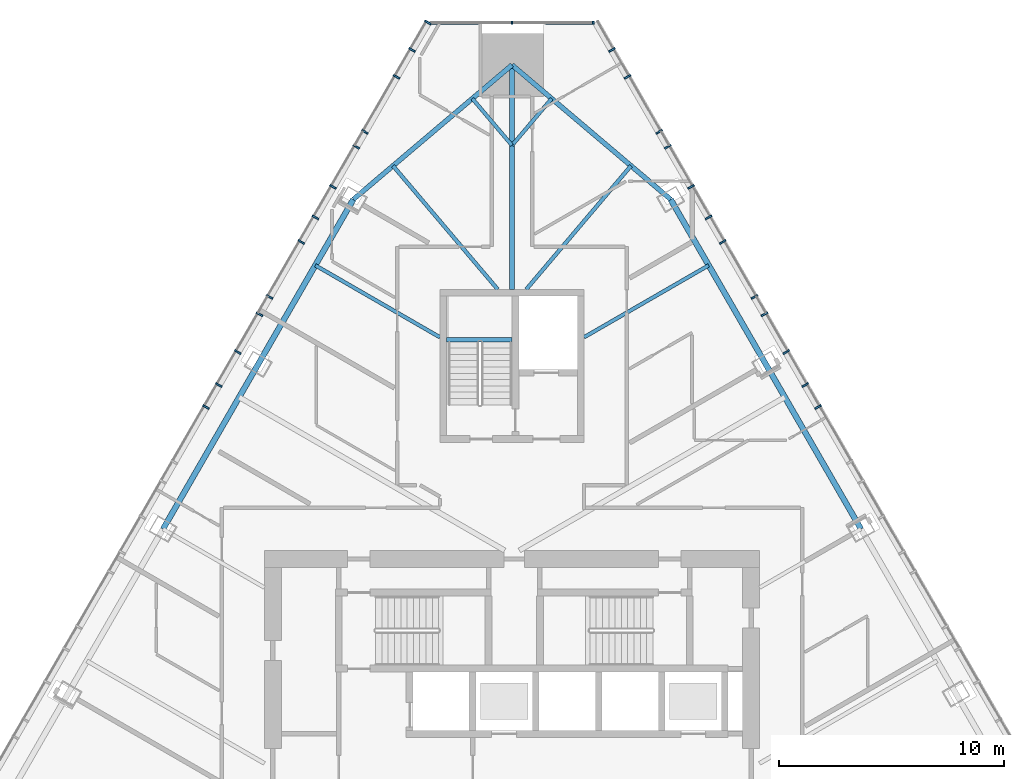
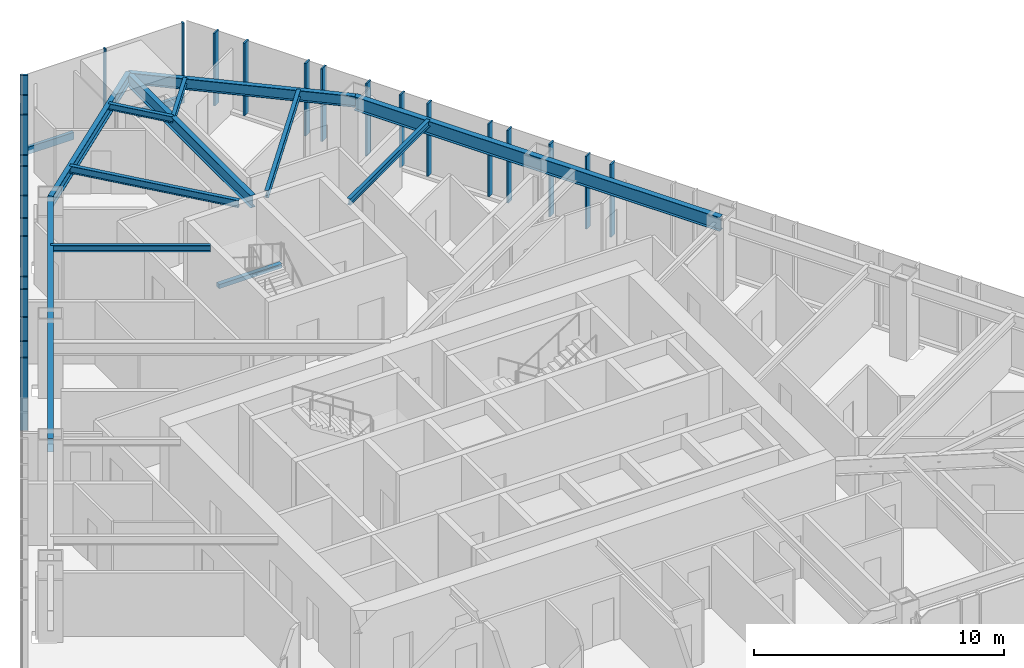
# One storey, part 7 of 19: 29 members, 12 beams, 3 elements without a shape of their own.
"""IFC4 building model written with IfcOpenShell, lengths in metres."""

from ifc_helpers import new_model, si_unit, direction, frame, origin, origin_2d, place, context, subcontext, project, spatial, rectangle, i_section, extrude, material, layer, layer_set, material_profile, profile_set, type_object, element, aggregate, save


model = new_model("IFC4")

# Units and contexts
model_context = context("Model", 3, precision=1e-05, world=origin(), true_north=direction((0.0, 1.0)))
body_context = subcontext(model_context, "Body", "Model", "MODEL_VIEW")
ifc_project = project(units=[si_unit("LENGTHUNIT", "METRE"), si_unit("AREAUNIT", "SQUARE_METRE"), si_unit("VOLUMEUNIT", "CUBIC_METRE"), si_unit("PLANEANGLEUNIT", "RADIAN"), si_unit("MASSUNIT", "GRAM", prefix="KILO")], contexts=[model_context])

# Site, building, storey
site_placement = place(None, origin())
site = spatial("IfcSite", under=ifc_project, at=site_placement, CompositionType="ELEMENT")
building_placement = place(site_placement, origin())
building = spatial("IfcBuilding", under=site, at=building_placement, Name="Firuza Gate Tower and Library", CompositionType="ELEMENT")
storey_placement = place(building_placement, frame((0.0, 0.0, 210.39990234375)))
storey = spatial("IfcBuildingStorey", under=building, at=storey_placement, Name="L49", CompositionType="ELEMENT", Elevation=210.39990234375)

# Curtain wall, members
ifc_material_1 = material(Name="Aluminium 6063-T6", Category="aluminium")
ifc_layer_1 = layer(ifc_material_1, 0.14990234375)
ifc_layer_set_1 = layer_set([ifc_layer_1], Name="Corner curtain wall, chamfers")
curtain_wall_type_1 = type_object("IfcCurtainWallType", Name="Corner curtain wall, chamfers", PredefinedType="NOTDEFINED", material=ifc_layer_set_1)
placement = place(storey_placement, origin())
curtain_wall_1 = element("IfcCurtainWall", 1, at=placement, inside=storey, type_object=curtain_wall_type_1, Name="CW4 L49 N corner", PredefinedType="NOTDEFINED")
ifc_material_2 = material(Name="Aluminium 6063-T6", Category="aluminium")
ifc_material_profile_1 = material_profile(ifc_material_2, rectangle(XDim=0.14990234375, YDim=0.080078125, at=origin_2d()))
ifc_profile_set_1 = profile_set([ifc_material_profile_1], Name="Aluminium 6063-T6")
member_type_1 = type_object("IfcMemberType", Name="Curtain wall mullion 80x150", PredefinedType="MULLION", material=ifc_profile_set_1)
member_1_placement = place(storey_placement, frame((78.603271484375, 106.44482421875, 0.150146484375), z_axis=(0.0, 0.0, 1.0), x_axis=(0.0, -1.0, 0.0)))
member_1 = element("IfcMember", 2, at=member_1_placement, type_object=member_type_1, Name="Mullion", PredefinedType="MULLION", context=body_context, shape_type="SweptSolid", body=[
    extrude(rectangle(XDim=0.14990234375, YDim=0.080078125, at=origin_2d()), origin(), (0.0, 0.0, 1.0), 3.550048828125),
])
member_2_placement = place(storey_placement, frame((75.0, 106.44482421875, 0.150146484375), z_axis=(0.0, 0.0, 1.0), x_axis=(0.0, -1.0, 0.0)))
member_2 = element("IfcMember", 3, at=member_2_placement, type_object=member_type_1, Name="Mullion", PredefinedType="MULLION", context=body_context, shape_type="SweptSolid", body=[
    extrude(rectangle(XDim=0.14990234375, YDim=0.080078125, at=origin_2d()), origin(), (0.0, 0.0, 1.0), 3.550048828125),
])

ifc_material_3 = material(Name="Aluminium 6063-T6", Category="aluminium")
ifc_layer_2 = layer(ifc_material_3, 0.14990234375)
ifc_layer_set_2 = layer_set([ifc_layer_2], Name="Unitised curtain wall, hotel")
curtain_wall_type_2 = type_object("IfcCurtainWallType", Name="Unitised curtain wall, hotel", PredefinedType="NOTDEFINED", material=ifc_layer_set_2)
curtain_wall_2 = element("IfcCurtainWall", 4, at=placement, inside=storey, type_object=curtain_wall_type_2, Name="CW2 L49 E face", PredefinedType="NOTDEFINED")
ifc_material_4 = material(Name="Aluminium 6063-T6", Category="aluminium")
ifc_material_profile_2 = material_profile(ifc_material_4, rectangle(XDim=0.320068359375, YDim=0.080078125, at=origin_2d()))
ifc_profile_set_2 = profile_set([ifc_material_profile_2], Name="Aluminium 6063-T6")
member_type_2 = type_object("IfcMemberType", Name="Curtain wall mullion 80x320", PredefinedType="MULLION", material=ifc_profile_set_2)
member_3_placement = place(storey_placement, frame((88.5986328125, 89.37158203125, 0.150146484375), z_axis=(0.0, 0.0, 1.0), x_axis=(-0.866025403784, -0.5, 0.0)))
member_3 = element("IfcMember", 5, at=member_3_placement, type_object=member_type_2, Name="Mullion", PredefinedType="MULLION", context=body_context, shape_type="SweptSolid", body=[
    extrude(rectangle(XDim=0.320068359375, YDim=0.080078125, at=origin_2d()), origin(), (0.0, 0.0, 1.0), 3.550048828125),
])
member_4_placement = place(storey_placement, frame((87.18701171875, 91.816650390625, 0.150146484375), z_axis=(0.0, 0.0, 1.0), x_axis=(-0.866025403784, -0.5, 0.0)))
member_4 = element("IfcMember", 6, at=member_4_placement, type_object=member_type_2, Name="Mullion", PredefinedType="MULLION", context=body_context, shape_type="SweptSolid", body=[
    extrude(rectangle(XDim=0.320068359375, YDim=0.080078125, at=origin_2d()), origin(), (0.0, 0.0, 1.0), 3.550048828125),
])
member_5_placement = place(storey_placement, frame((85.775390625, 94.26171875, 0.150146484375), z_axis=(0.0, 0.0, 1.0), x_axis=(-0.866025403784, -0.5, 0.0)))
member_5 = element("IfcMember", 7, at=member_5_placement, type_object=member_type_2, Name="Mullion", PredefinedType="MULLION", context=body_context, shape_type="SweptSolid", body=[
    extrude(rectangle(XDim=0.320068359375, YDim=0.080078125, at=origin_2d()), origin(), (0.0, 0.0, 1.0), 3.550048828125),
])
member_6_placement = place(storey_placement, frame((84.363525390625, 96.706787109375, 0.150146484375), z_axis=(0.0, 0.0, 1.0), x_axis=(-0.866025403784, -0.5, 0.0)))
member_6 = element("IfcMember", 8, at=member_6_placement, type_object=member_type_2, Name="Mullion", PredefinedType="MULLION", context=body_context, shape_type="SweptSolid", body=[
    extrude(rectangle(XDim=0.320068359375, YDim=0.080078125, at=origin_2d()), origin(), (0.0, 0.0, 1.0), 3.550048828125),
])
member_7_placement = place(storey_placement, frame((82.951904296875, 99.15185546875, 0.150146484375), z_axis=(0.0, 0.0, 1.0), x_axis=(-0.866025403784, -0.5, 0.0)))
member_7 = element("IfcMember", 9, at=member_7_placement, type_object=member_type_2, Name="Mullion", PredefinedType="MULLION", context=body_context, shape_type="SweptSolid", body=[
    extrude(rectangle(XDim=0.320068359375, YDim=0.080078125, at=origin_2d()), origin(), (0.0, 0.0, 1.0), 3.550048828125),
])
member_8_placement = place(storey_placement, frame((81.540283203125, 101.596923828125, 0.150146484375), z_axis=(0.0, 0.0, 1.0), x_axis=(-0.866025403784, -0.5, 0.0)))
member_8 = element("IfcMember", 10, at=member_8_placement, type_object=member_type_2, Name="Mullion", PredefinedType="MULLION", context=body_context, shape_type="SweptSolid", body=[
    extrude(rectangle(XDim=0.320068359375, YDim=0.080078125, at=origin_2d()), origin(), (0.0, 0.0, 1.0), 3.550048828125),
])
member_9_placement = place(storey_placement, frame((80.128662109375, 104.042236328125, 0.150146484375), z_axis=(0.0, 0.0, 1.0), x_axis=(-0.866025403784, -0.5, 0.0)))
member_9 = element("IfcMember", 11, at=member_9_placement, type_object=member_type_2, Name="Mullion", PredefinedType="MULLION", context=body_context, shape_type="SweptSolid", body=[
    extrude(rectangle(XDim=0.320068359375, YDim=0.080078125, at=origin_2d()), origin(), (0.0, 0.0, 1.0), 3.550048828125),
])
member_10_placement = place(storey_placement, frame((88.0322265625, 90.352783203125, 0.150146484375), z_axis=(0.0, 0.0, 1.0), x_axis=(-0.866025403784, -0.5, 0.0)))
member_10 = element("IfcMember", 12, at=member_10_placement, type_object=member_type_2, Name="Mullion", PredefinedType="MULLION", context=body_context, shape_type="SweptSolid", body=[
    extrude(rectangle(XDim=0.320068359375, YDim=0.080078125, at=origin_2d()), origin(), (0.0, 0.0, 1.0), 3.550048828125),
])
member_11_placement = place(storey_placement, frame((86.21826171875, 93.49462890625, 0.150146484375), z_axis=(0.0, 0.0, 1.0), x_axis=(-0.866025403784, -0.5, 0.0)))
member_11 = element("IfcMember", 13, at=member_11_placement, type_object=member_type_2, Name="Mullion", PredefinedType="MULLION", context=body_context, shape_type="SweptSolid", body=[
    extrude(rectangle(XDim=0.320068359375, YDim=0.080078125, at=origin_2d()), origin(), (0.0, 0.0, 1.0), 3.550048828125),
])
member_12_placement = place(storey_placement, frame((83.7353515625, 97.795166015625, 0.150146484375), z_axis=(0.0, 0.0, 1.0), x_axis=(-0.866025403784, -0.5, 0.0)))
member_12 = element("IfcMember", 14, at=member_12_placement, type_object=member_type_2, Name="Mullion", PredefinedType="MULLION", context=body_context, shape_type="SweptSolid", body=[
    extrude(rectangle(XDim=0.320068359375, YDim=0.080078125, at=origin_2d()), origin(), (0.0, 0.0, 1.0), 3.550048828125),
])
member_13_placement = place(storey_placement, frame((81.92138671875, 100.93701171875, 0.150146484375), z_axis=(0.0, 0.0, 1.0), x_axis=(-0.866025403784, -0.5, 0.0)))
member_13 = element("IfcMember", 15, at=member_13_placement, type_object=member_type_2, Name="Mullion", PredefinedType="MULLION", context=body_context, shape_type="SweptSolid", body=[
    extrude(rectangle(XDim=0.320068359375, YDim=0.080078125, at=origin_2d()), origin(), (0.0, 0.0, 1.0), 3.550048828125),
])
member_14_placement = place(storey_placement, frame((79.4384765625, 105.237548828125, 0.150146484375), z_axis=(0.0, 0.0, 1.0), x_axis=(-0.866025403784, -0.5, 0.0)))
member_14 = element("IfcMember", 16, at=member_14_placement, type_object=member_type_2, Name="Mullion", PredefinedType="MULLION", context=body_context, shape_type="SweptSolid", body=[
    extrude(rectangle(XDim=0.320068359375, YDim=0.080078125, at=origin_2d()), origin(), (0.0, 0.0, 1.0), 3.550048828125),
])
aggregate(curtain_wall_2, [member_3, member_4, member_5, member_6, member_7, member_8, member_9, member_10, member_11, member_12, member_13, member_14])

curtain_wall_3 = element("IfcCurtainWall", 17, at=placement, inside=storey, type_object=curtain_wall_type_2, Name="CW2 L49 W face", PredefinedType="NOTDEFINED")
member_15_placement = place(storey_placement, frame((71.26318359375, 106.45263671875, 0.150146484375), z_axis=(0.0, 0.0, 1.0), x_axis=(0.866025403784, -0.5, 0.0)))
member_15 = element("IfcMember", 18, at=member_15_placement, type_object=member_type_2, Name="Mullion", PredefinedType="MULLION", context=body_context, shape_type="SweptSolid", body=[
    extrude(rectangle(XDim=0.320068359375, YDim=0.080078125, at=origin_2d()), origin(), (0.0, 0.0, 1.0), 3.550048828125),
])
member_16_placement = place(storey_placement, frame((69.871337890625, 104.042236328125, 0.150146484375), z_axis=(0.0, 0.0, 1.0), x_axis=(0.866025403784, -0.5, 0.0)))
member_16 = element("IfcMember", 19, at=member_16_placement, type_object=member_type_2, Name="Mullion", PredefinedType="MULLION", context=body_context, shape_type="SweptSolid", body=[
    extrude(rectangle(XDim=0.320068359375, YDim=0.080078125, at=origin_2d()), origin(), (0.0, 0.0, 1.0), 3.550048828125),
])
member_17_placement = place(storey_placement, frame((68.459716796875, 101.596923828125, 0.150146484375), z_axis=(0.0, 0.0, 1.0), x_axis=(0.866025403784, -0.5, 0.0)))
member_17 = element("IfcMember", 20, at=member_17_placement, type_object=member_type_2, Name="Mullion", PredefinedType="MULLION", context=body_context, shape_type="SweptSolid", body=[
    extrude(rectangle(XDim=0.320068359375, YDim=0.080078125, at=origin_2d()), origin(), (0.0, 0.0, 1.0), 3.550048828125),
])
member_18_placement = place(storey_placement, frame((67.048095703125, 99.15185546875, 0.150146484375), z_axis=(0.0, 0.0, 1.0), x_axis=(0.866025403784, -0.5, 0.0)))
member_18 = element("IfcMember", 21, at=member_18_placement, type_object=member_type_2, Name="Mullion", PredefinedType="MULLION", context=body_context, shape_type="SweptSolid", body=[
    extrude(rectangle(XDim=0.320068359375, YDim=0.080078125, at=origin_2d()), origin(), (0.0, 0.0, 1.0), 3.550048828125),
])
member_19_placement = place(storey_placement, frame((65.636474609375, 96.706787109375, 0.150146484375), z_axis=(0.0, 0.0, 1.0), x_axis=(0.866025403784, -0.5, 0.0)))
member_19 = element("IfcMember", 22, at=member_19_placement, type_object=member_type_2, Name="Mullion", PredefinedType="MULLION", context=body_context, shape_type="SweptSolid", body=[
    extrude(rectangle(XDim=0.320068359375, YDim=0.080078125, at=origin_2d()), origin(), (0.0, 0.0, 1.0), 3.550048828125),
])
member_20_placement = place(storey_placement, frame((64.224609375, 94.26171875, 0.150146484375), z_axis=(0.0, 0.0, 1.0), x_axis=(0.866025403784, -0.5, 0.0)))
member_20 = element("IfcMember", 23, at=member_20_placement, type_object=member_type_2, Name="Mullion", PredefinedType="MULLION", context=body_context, shape_type="SweptSolid", body=[
    extrude(rectangle(XDim=0.320068359375, YDim=0.080078125, at=origin_2d()), origin(), (0.0, 0.0, 1.0), 3.550048828125),
])
member_21_placement = place(storey_placement, frame((62.81298828125, 91.816650390625, 0.150146484375), z_axis=(0.0, 0.0, 1.0), x_axis=(0.866025403784, -0.5, 0.0)))
member_21 = element("IfcMember", 24, at=member_21_placement, type_object=member_type_2, Name="Mullion", PredefinedType="MULLION", context=body_context, shape_type="SweptSolid", body=[
    extrude(rectangle(XDim=0.320068359375, YDim=0.080078125, at=origin_2d()), origin(), (0.0, 0.0, 1.0), 3.550048828125),
])
member_22_placement = place(storey_placement, frame((61.4013671875, 89.37158203125, 0.150146484375), z_axis=(0.0, 0.0, 1.0), x_axis=(0.866025403784, -0.5, 0.0)))
member_22 = element("IfcMember", 25, at=member_22_placement, type_object=member_type_2, Name="Mullion", PredefinedType="MULLION", context=body_context, shape_type="SweptSolid", body=[
    extrude(rectangle(XDim=0.320068359375, YDim=0.080078125, at=origin_2d()), origin(), (0.0, 0.0, 1.0), 3.550048828125),
])
member_23_placement = place(storey_placement, frame((70.5615234375, 105.237548828125, 0.150146484375), z_axis=(0.0, 0.0, 1.0), x_axis=(0.866025403784, -0.5, 0.0)))
member_23 = element("IfcMember", 26, at=member_23_placement, type_object=member_type_2, Name="Mullion", PredefinedType="MULLION", context=body_context, shape_type="SweptSolid", body=[
    extrude(rectangle(XDim=0.320068359375, YDim=0.080078125, at=origin_2d()), origin(), (0.0, 0.0, 1.0), 3.550048828125),
])
member_24_placement = place(storey_placement, frame((68.07861328125, 100.93701171875, 0.150146484375), z_axis=(0.0, 0.0, 1.0), x_axis=(0.866025403784, -0.5, 0.0)))
member_24 = element("IfcMember", 27, at=member_24_placement, type_object=member_type_2, Name="Mullion", PredefinedType="MULLION", context=body_context, shape_type="SweptSolid", body=[
    extrude(rectangle(XDim=0.320068359375, YDim=0.080078125, at=origin_2d()), origin(), (0.0, 0.0, 1.0), 3.550048828125),
])
member_25_placement = place(storey_placement, frame((66.2646484375, 97.795166015625, 0.150146484375), z_axis=(0.0, 0.0, 1.0), x_axis=(0.866025403784, -0.5, 0.0)))
member_25 = element("IfcMember", 28, at=member_25_placement, type_object=member_type_2, Name="Mullion", PredefinedType="MULLION", context=body_context, shape_type="SweptSolid", body=[
    extrude(rectangle(XDim=0.320068359375, YDim=0.080078125, at=origin_2d()), origin(), (0.0, 0.0, 1.0), 3.550048828125),
])
member_26_placement = place(storey_placement, frame((63.78173828125, 93.49462890625, 0.150146484375), z_axis=(0.0, 0.0, 1.0), x_axis=(0.866025403784, -0.5, 0.0)))
member_26 = element("IfcMember", 29, at=member_26_placement, type_object=member_type_2, Name="Mullion", PredefinedType="MULLION", context=body_context, shape_type="SweptSolid", body=[
    extrude(rectangle(XDim=0.320068359375, YDim=0.080078125, at=origin_2d()), origin(), (0.0, 0.0, 1.0), 3.550048828125),
])
member_27_placement = place(storey_placement, frame((61.9677734375, 90.352783203125, 0.150146484375), z_axis=(0.0, 0.0, 1.0), x_axis=(0.866025403784, -0.5, 0.0)))
member_27 = element("IfcMember", 30, at=member_27_placement, type_object=member_type_2, Name="Mullion", PredefinedType="MULLION", context=body_context, shape_type="SweptSolid", body=[
    extrude(rectangle(XDim=0.320068359375, YDim=0.080078125, at=origin_2d()), origin(), (0.0, 0.0, 1.0), 3.550048828125),
])
aggregate(curtain_wall_3, [member_15, member_16, member_17, member_18, member_19, member_20, member_21, member_22, member_23, member_24, member_25, member_26, member_27])

# Member
ifc_material_5 = material(Name="Aluminium 6063-T6", Category="aluminium")
ifc_material_profile_3 = material_profile(ifc_material_5, rectangle(XDim=0.14990234375, YDim=0.35009765625, at=origin_2d()))
ifc_profile_set_3 = profile_set([ifc_material_profile_3], Name="Aluminium 6063-T6")
member_type_3 = type_object("IfcMemberType", Name="Curtain wall transom 350x150", PredefinedType="USERDEFINED", material=ifc_profile_set_3)
member_28_placement = place(storey_placement, frame((78.643310546875, 106.44482421875, -0.02490234375), z_axis=(-1.0, 0.0, 0.0), x_axis=(0.0, -1.0, 0.0)))
member_28 = element("IfcMember", 31, at=member_28_placement, type_object=member_type_3, Name="Transom", ObjectType="TRANSOM", PredefinedType="USERDEFINED", context=body_context, shape_type="SweptSolid", body=[
    extrude(rectangle(XDim=0.14990234375, YDim=0.35009765625, at=origin_2d()), origin(), (0.0, 0.0, 1.0), 2.163330078125),
])

member_29_placement = place(storey_placement, frame((73.52001953125, 106.44482421875, -0.02490234375), z_axis=(-1.0, 0.0, 0.0), x_axis=(0.0, -1.0, 0.0)))
member_29 = element("IfcMember", 32, at=member_29_placement, type_object=member_type_3, Name="Transom", ObjectType="TRANSOM", PredefinedType="USERDEFINED", context=body_context, shape_type="SweptSolid", body=[
    extrude(rectangle(XDim=0.14990234375, YDim=0.35009765625, at=origin_2d()), origin(), (0.0, 0.0, 1.0), 2.163330078125),
])

aggregate(curtain_wall_1, [member_1, member_2, member_28, member_29])

# Beams
ifc_material_6 = material(Name="Concrete C35/45", Category="concrete")
ifc_material_profile_4 = material_profile(ifc_material_6, rectangle(XDim=0.199951171875, YDim=0.199951171875, at=origin_2d()))
ifc_profile_set_4 = profile_set([ifc_material_profile_4], Name="Concrete C35/45")
beam_type_1 = type_object("IfcBeamType", Name="Stair landing bearer 200x200", PredefinedType="BEAM", material=ifc_profile_set_4)
beam_1_placement = place(storey_placement, frame((75.0, 92.3701171875, 1.650146484375), z_axis=(-1.0, 0.0, 0.0), x_axis=(0.0, -1.0, 0.0)))
element("IfcBeam", 33, at=beam_1_placement, inside=storey, type_object=beam_type_1, Name="Landing bearer L49 stair 3", PredefinedType="BEAM", context=body_context, shape_type="SweptSolid", body=[
    extrude(rectangle(XDim=0.199951171875, YDim=0.199951171875, at=origin_2d()), origin(), (0.0, 0.0, 1.0), 2.89990234375),
])
ifc_material_7 = material(Name="Steel S355", Category="steel")
ifc_material_profile_5 = material_profile(ifc_material_7, i_section(OverallWidth=0.1650390625, OverallDepth=0.31005859375, WebThickness=0.005859375, FlangeThickness=0.009765625, at=origin_2d()))
ifc_profile_set_5 = profile_set([ifc_material_profile_5], Name="Steel S355")
beam_type_2 = type_object("IfcBeamType", Name="W310x39 Floor beam", PredefinedType="JOIST", material=ifc_profile_set_5)
beam_2_placement = place(storey_placement, frame((83.739501953125, 95.667724609375, 3.545166015625), z_axis=(-0.866026686418, -0.499997778408, 0.0), x_axis=(0.499997778408, -0.866026686418, 0.0)))
element("IfcBeam", 34, at=beam_2_placement, inside=storey, type_object=beam_type_2, Name="Floor beam L49 s54", PredefinedType="JOIST", context=body_context, shape_type="SweptSolid", body=[
    extrude(i_section(OverallWidth=0.1650390625, OverallDepth=0.31005859375, WebThickness=0.005859375, FlangeThickness=0.009765625, at=origin_2d()), origin(), (0.0, 0.0, 1.0), 6.396484375),
])
for number, where, z_axis, x_axis, name in (
    (35, (76.76220703125, 103.076416015625, 3.545166015625), (-0.646532298438, -0.762886614823, 0.0), (0.762886614823, -0.646532298438, 0.0), "Floor beam L49 s61"),
    (36, (73.23779296875, 103.076416015625, 3.545166015625), (0.646532298438, -0.762886614823, 0.0), (0.762886614823, 0.646532298438, 0.0), "Floor beam L49 s70"),
):
    element("IfcBeam", number, at=place(storey_placement, frame(where, z_axis=z_axis, x_axis=x_axis)), inside=storey, type_object=beam_type_2, Name=name, PredefinedType="JOIST", context=body_context, shape_type="SweptSolid", body=[
        extrude(i_section(OverallWidth=0.1650390625, OverallDepth=0.31005859375, WebThickness=0.005859375, FlangeThickness=0.009765625, at=origin_2d()), origin(), (0.0, 0.0, 1.0), 2.7255859375),
    ])
beam_3_placement = place(storey_placement, frame((66.260498046875, 95.667724609375, 3.545166015625), z_axis=(0.866026686418, -0.499997778408, 0.0), x_axis=(0.499997778408, 0.866026686418, 0.0)))
element("IfcBeam", 37, at=beam_3_placement, inside=storey, type_object=beam_type_2, Name="Floor beam L49 s80", PredefinedType="JOIST", context=body_context, shape_type="SweptSolid", body=[
    extrude(i_section(OverallWidth=0.1650390625, OverallDepth=0.31005859375, WebThickness=0.005859375, FlangeThickness=0.009765625, at=origin_2d()), origin(), (0.0, 0.0, 1.0), 6.396484375),
])
ifc_material_8 = material(Name="Steel S355", Category="steel")
ifc_material_profile_6 = material_profile(ifc_material_8, i_section(OverallWidth=0.1708984375, OverallDepth=0.35498046875, WebThickness=0.007080078125, FlangeThickness=0.01171875, at=origin_2d()))
ifc_profile_set_6 = profile_set([ifc_material_profile_6], Name="Steel S355")
beam_type_3 = type_object("IfcBeamType", Name="W360x51 Floor beam", PredefinedType="JOIST", material=ifc_profile_set_6)
for number, where, z_axis, x_axis, name in (
    (38, (80.286376953125, 100.090087890625, 3.522705078125), (-0.646506300363, -0.76290864695, 0.0), (0.76290864695, -0.646506300363, 0.0), "Floor beam L49 s60"),
    (39, (69.713623046875, 100.090087890625, 3.522705078125), (0.646506300363, -0.76290864695, 0.0), (0.76290864695, 0.646506300363, 0.0), "Floor beam L49 s71"),
):
    element("IfcBeam", number, at=place(storey_placement, frame(where, z_axis=z_axis, x_axis=x_axis)), inside=storey, type_object=beam_type_3, Name=name, PredefinedType="JOIST", context=body_context, shape_type="SweptSolid", body=[
        extrude(i_section(OverallWidth=0.1708984375, OverallDepth=0.35498046875, WebThickness=0.007080078125, FlangeThickness=0.01171875, at=origin_2d()), origin(), (0.0, 0.0, 1.0), 7.196044921875),
    ])
ifc_material_9 = material(Name="Steel S355", Category="steel")
ifc_material_profile_7 = material_profile(ifc_material_9, i_section(OverallWidth=0.212890625, OverallDepth=0.5390625, WebThickness=0.01171875, FlangeThickness=0.018798828125, at=origin_2d()))
ifc_profile_set_7 = profile_set([ifc_material_profile_7], Name="Steel S355")
beam_type_4 = type_object("IfcBeamType", Name="W530x109 Edge beam", PredefinedType="SPANDREL", material=ifc_profile_set_7)
for number, where, z_axis, x_axis, name in (
    (40, (82.04833984375, 98.596923828125, 3.4306640625), (-0.762909959778, 0.646504751159, 0.0), (-0.646504751159, -0.762909959778, 0.0), "Edge beam L49 e60"),
    (41, (75.0, 104.56982421875, 3.4306640625), (-0.762909959778, -0.646504751159, 0.0), (0.646504751159, -0.762909959778, 0.0), "Edge beam L49 e70"),
):
    element("IfcBeam", number, at=place(storey_placement, frame(where, z_axis=z_axis, x_axis=x_axis)), inside=storey, type_object=beam_type_4, Name=name, PredefinedType="SPANDREL", context=body_context, shape_type="SweptSolid", body=[
        extrude(i_section(OverallWidth=0.212890625, OverallDepth=0.5390625, WebThickness=0.01171875, FlangeThickness=0.018798828125, at=origin_2d()), origin(), (0.0, 0.0, 1.0), 9.23876953125),
    ])
ifc_material_10 = material(Name="Steel S355", Category="steel")
ifc_material_profile_8 = material_profile(ifc_material_10, i_section(OverallWidth=0.22802734375, OverallDepth=0.60302734375, WebThickness=0.010498046875, FlangeThickness=0.014892578125, at=origin_2d()))
ifc_profile_set_8 = profile_set([ifc_material_profile_8], Name="Steel S355")
beam_type_5 = type_object("IfcBeamType", Name="W610x101 Girder", PredefinedType="BEAM", material=ifc_profile_set_8)
beam_4_placement = place(storey_placement, frame((75.0, 104.56982421875, 3.398681640625), z_axis=(0.0, -1.0, 0.0), x_axis=(1.0, 0.0, 0.0)))
element("IfcBeam", 42, at=beam_4_placement, inside=storey, type_object=beam_type_5, Name="Girder L49 gN", PredefinedType="BEAM", context=body_context, shape_type="SweptSolid", body=[
    extrude(i_section(OverallWidth=0.22802734375, OverallDepth=0.60302734375, WebThickness=0.010498046875, FlangeThickness=0.014892578125, at=origin_2d()), origin(), (0.0, 0.0, 1.0), 9.9697265625),
])
ifc_material_11 = material(Name="Steel S355", Category="steel")
ifc_material_profile_9 = material_profile(ifc_material_11, i_section(OverallWidth=0.2529296875, OverallDepth=0.677978515625, WebThickness=0.01171875, FlangeThickness=0.016357421875, at=origin_2d()))
ifc_profile_set_9 = profile_set([ifc_material_profile_9], Name="Steel S355")
beam_type_6 = type_object("IfcBeamType", Name="W690x125 Edge beam", PredefinedType="SPANDREL", material=ifc_profile_set_9)
for number, where, z_axis, x_axis, name in (
    (43, (90.504150390625, 83.951171875, 3.361083984375), (-0.500003623902, 0.866023311513, 0.0), (-0.866023311513, -0.500003623902, 0.0), "Edge beam L49 e52"),
    (44, (67.95166015625, 98.596923828125, 3.361083984375), (-0.500003623902, -0.866023311513, 0.0), (0.866023311513, -0.500003623902, 0.0), "Edge beam L49 e80"),
):
    element("IfcBeam", number, at=place(storey_placement, frame(where, z_axis=z_axis, x_axis=x_axis)), inside=storey, type_object=beam_type_6, Name=name, PredefinedType="SPANDREL", context=body_context, shape_type="SweptSolid", body=[
        extrude(i_section(OverallWidth=0.2529296875, OverallDepth=0.677978515625, WebThickness=0.01171875, FlangeThickness=0.016357421875, at=origin_2d()), origin(), (0.0, 0.0, 1.0), 16.911376953125),
    ])

save(model, "model.ifc")
